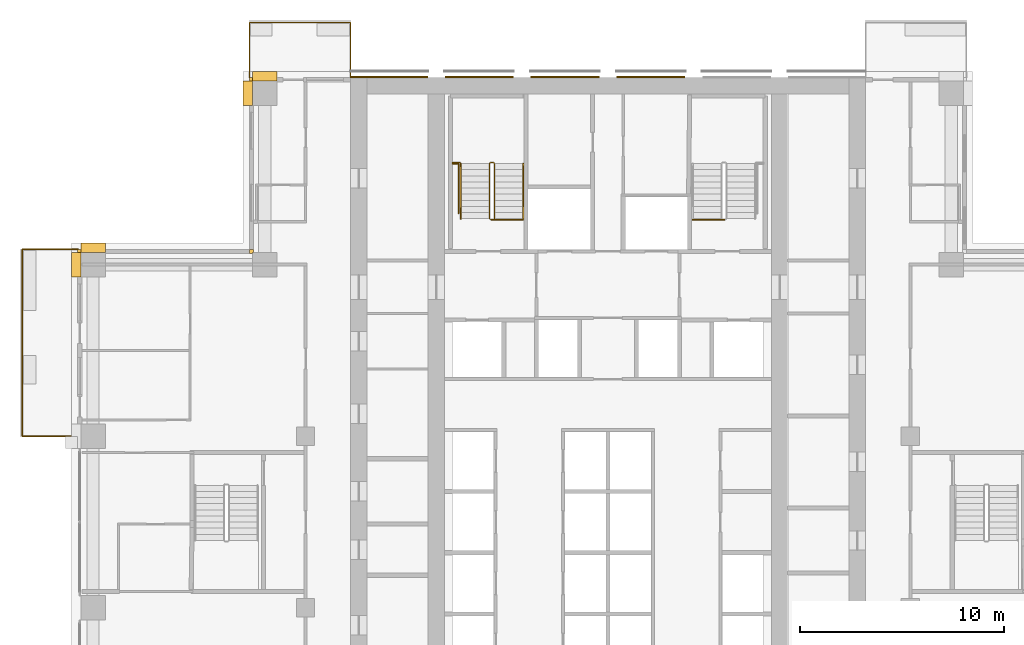
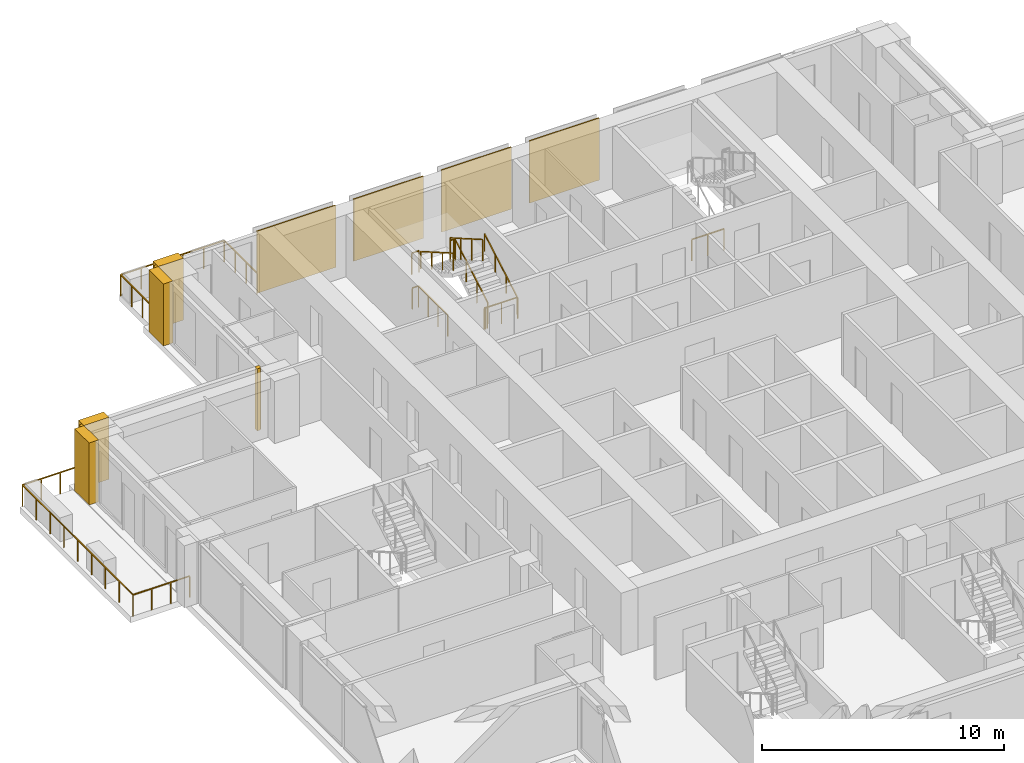
# One storey, part 15 of 16: 11 coverings, 9 railings.
"""IFC4 building model written with IfcOpenShell, lengths in metres."""

from ifc_helpers import new_model, si_unit, direction, frame, origin, origin_2d, place, context, subcontext, project, spatial, polyline, rectangle, outline, extrude, material, type_object, element, save


model = new_model("IFC4")

# Units and contexts
model_context = context("Model", 3, precision=1e-05, world=origin(), true_north=direction((0.0, 1.0)))
body_context = subcontext(model_context, "Body", "Model", "MODEL_VIEW")
ifc_project = project(units=[si_unit("LENGTHUNIT", "METRE"), si_unit("AREAUNIT", "SQUARE_METRE"), si_unit("VOLUMEUNIT", "CUBIC_METRE"), si_unit("PLANEANGLEUNIT", "RADIAN"), si_unit("MASSUNIT", "GRAM", prefix="KILO")], contexts=[model_context])

# Site, building, storey
site_placement = place(None, origin())
site = spatial("IfcSite", under=ifc_project, at=site_placement, CompositionType="ELEMENT")
building_placement = place(site_placement, origin())
building = spatial("IfcBuilding", under=site, at=building_placement, Name="Vermilion Ogive Tower", CompositionType="ELEMENT")
storey_placement = place(building_placement, frame((0.0, 0.0, 114.89990234375)))
storey = spatial("IfcBuildingStorey", under=building, at=storey_placement, Name="L29", CompositionType="ELEMENT", Elevation=114.89990234375)

# Railings
ifc_material_1 = material(Name="Stainless steel and glass", Category="steel")
railing_type_1 = type_object("IfcRailingType", Name="Balcony guard", PredefinedType="GUARDRAIL", material=ifc_material_1)
railing_1_placement = place(storey_placement, frame((-12.60009765625, 21.75, -0.039794921875)))
element("IfcRailing", 1, at=railing_1_placement, inside=storey, type_object=railing_type_1, Name="Guard N201", PredefinedType="GUARDRAIL", context=body_context, shape_type="SweptSolid", body=[
    extrude(rectangle(XDim=0.048095703125, YDim=0.048095703125, at=origin_2d()), frame((0.0, 0.0, 1.076171875), z_axis=(0.0, 1.0, 0.0), x_axis=(-1.0, 0.0, 0.0)), (0.0, 0.0, 1.0), 2.7041015625),
    extrude(rectangle(XDim=0.048095703125, YDim=0.048095703125, at=origin_2d()), frame((0.0, 2.7041015625, 1.076171875), z_axis=(-1.0, 0.0, 0.0), x_axis=(0.0, -1.0, 0.0)), (0.0, 0.0, 1.0), 4.949951171875),
    extrude(rectangle(XDim=0.048095703125, YDim=0.048095703125, at=origin_2d()), frame((-4.949951171875, 2.7041015625, 1.076171875), z_axis=(0.0, -1.0, 0.0), x_axis=(1.0, 0.0, 0.0)), (0.0, 0.0, 1.0), 2.7041015625),
    extrude(rectangle(XDim=0.0419921875, YDim=0.0419921875, at=origin_2d()), origin(), (0.0, 0.0, 1.0), 1.052001953125),
    extrude(rectangle(XDim=0.0419921875, YDim=0.0419921875, at=origin_2d()), frame((0.0, 0.9013671875, 0.0)), (0.0, 0.0, 1.0), 1.052001953125),
    extrude(rectangle(XDim=0.0419921875, YDim=0.0419921875, at=origin_2d()), frame((0.0, 1.802734375, 0.0)), (0.0, 0.0, 1.0), 1.052001953125),
    extrude(rectangle(XDim=0.0419921875, YDim=0.0419921875, at=origin_2d()), frame((0.0, 2.7041015625, 0.0)), (0.0, 0.0, 1.0), 1.052001953125),
    extrude(rectangle(XDim=0.0419921875, YDim=0.0419921875, at=origin_2d()), frame((-0.989990234375, 2.7041015625, 0.0)), (0.0, 0.0, 1.0), 1.052001953125),
    extrude(rectangle(XDim=0.0419921875, YDim=0.0419921875, at=origin_2d()), frame((-1.97998046875, 2.7041015625, 0.0)), (0.0, 0.0, 1.0), 1.052001953125),
    extrude(rectangle(XDim=0.0419921875, YDim=0.0419921875, at=origin_2d()), frame((-2.969970703125, 2.7041015625, 0.0)), (0.0, 0.0, 1.0), 1.052001953125),
    extrude(rectangle(XDim=0.0419921875, YDim=0.0419921875, at=origin_2d()), frame((-3.9599609375, 2.7041015625, 0.0)), (0.0, 0.0, 1.0), 1.052001953125),
    extrude(rectangle(XDim=0.0419921875, YDim=0.0419921875, at=origin_2d()), frame((-4.949951171875, 2.7041015625, 0.0)), (0.0, 0.0, 1.0), 1.052001953125),
    extrude(rectangle(XDim=0.0419921875, YDim=0.0419921875, at=origin_2d()), frame((-4.949951171875, 1.802734375, 0.0)), (0.0, 0.0, 1.0), 1.052001953125),
    extrude(rectangle(XDim=0.0419921875, YDim=0.0419921875, at=origin_2d()), frame((-4.949951171875, 0.9013671875, 0.0)), (0.0, 0.0, 1.0), 1.052001953125),
    extrude(rectangle(XDim=0.0419921875, YDim=0.0419921875, at=origin_2d()), frame((-4.949951171875, 0.0, 0.0)), (0.0, 0.0, 1.0), 1.052001953125),
])
railing_2_placement = place(storey_placement, frame((-25.949951171875, 13.35009765625, -0.039794921875)))
element("IfcRailing", 2, at=railing_2_placement, inside=storey, type_object=railing_type_1, Name="Guard W01", PredefinedType="GUARDRAIL", context=body_context, shape_type="SweptSolid", body=[
    extrude(rectangle(XDim=0.048095703125, YDim=0.048095703125, at=origin_2d()), frame((0.0, 0.0, 1.076171875), z_axis=(-1.0, 0.0, 0.0), x_axis=(0.0, -1.0, 0.0)), (0.0, 0.0, 1.0), 2.7041015625),
    extrude(rectangle(XDim=0.048095703125, YDim=0.048095703125, at=origin_2d()), frame((-2.7041015625, 0.0, 1.076171875), z_axis=(0.0, -1.0, 0.0), x_axis=(1.0, 0.0, 0.0)), (0.0, 0.0, 1.0), 9.150146484375),
    extrude(rectangle(XDim=0.048095703125, YDim=0.048095703125, at=origin_2d()), frame((-2.7041015625, -9.150146484375, 1.076171875), z_axis=(1.0, 0.0, 0.0), x_axis=(0.0, 1.0, 0.0)), (0.0, 0.0, 1.0), 2.7041015625),
    extrude(rectangle(XDim=0.0419921875, YDim=0.0419921875, at=origin_2d()), origin(), (0.0, 0.0, 1.0), 1.052001953125),
    extrude(rectangle(XDim=0.0419921875, YDim=0.0419921875, at=origin_2d()), frame((-0.9013671875, 0.0, 0.0)), (0.0, 0.0, 1.0), 1.052001953125),
    extrude(rectangle(XDim=0.0419921875, YDim=0.0419921875, at=origin_2d()), frame((-1.802734375, 0.0, 0.0)), (0.0, 0.0, 1.0), 1.052001953125),
    extrude(rectangle(XDim=0.0419921875, YDim=0.0419921875, at=origin_2d()), frame((-2.7041015625, 0.0, 0.0)), (0.0, 0.0, 1.0), 1.052001953125),
    extrude(rectangle(XDim=0.0419921875, YDim=0.0419921875, at=origin_2d()), frame((-2.7041015625, -1.143798828125, 0.0)), (0.0, 0.0, 1.0), 1.052001953125),
    extrude(rectangle(XDim=0.0419921875, YDim=0.0419921875, at=origin_2d()), frame((-2.7041015625, -2.28759765625, 0.0)), (0.0, 0.0, 1.0), 1.052001953125),
    extrude(rectangle(XDim=0.0419921875, YDim=0.0419921875, at=origin_2d()), frame((-2.7041015625, -3.431396484375, 0.0)), (0.0, 0.0, 1.0), 1.052001953125),
    extrude(rectangle(XDim=0.0419921875, YDim=0.0419921875, at=origin_2d()), frame((-2.7041015625, -4.5751953125, 0.0)), (0.0, 0.0, 1.0), 1.052001953125),
    extrude(rectangle(XDim=0.0419921875, YDim=0.0419921875, at=origin_2d()), frame((-2.7041015625, -5.71875, 0.0)), (0.0, 0.0, 1.0), 1.052001953125),
    extrude(rectangle(XDim=0.0419921875, YDim=0.0419921875, at=origin_2d()), frame((-2.7041015625, -6.862548828125, 0.0)), (0.0, 0.0, 1.0), 1.052001953125),
    extrude(rectangle(XDim=0.0419921875, YDim=0.0419921875, at=origin_2d()), frame((-2.7041015625, -8.00634765625, 0.0)), (0.0, 0.0, 1.0), 1.052001953125),
    extrude(rectangle(XDim=0.0419921875, YDim=0.0419921875, at=origin_2d()), frame((-2.7041015625, -9.150146484375, 0.0)), (0.0, 0.0, 1.0), 1.052001953125),
    extrude(rectangle(XDim=0.0419921875, YDim=0.0419921875, at=origin_2d()), frame((-1.802734375, -9.150146484375, 0.0)), (0.0, 0.0, 1.0), 1.052001953125),
    extrude(rectangle(XDim=0.0419921875, YDim=0.0419921875, at=origin_2d()), frame((-0.9013671875, -9.150146484375, 0.0)), (0.0, 0.0, 1.0), 1.052001953125),
    extrude(rectangle(XDim=0.0419921875, YDim=0.0419921875, at=origin_2d()), frame((0.0, -9.150146484375, 0.0)), (0.0, 0.0, 1.0), 1.052001953125),
])
ifc_material_2 = material(Name="Steel S355 painted", Category="steel")
railing_type_2 = type_object("IfcRailingType", Name="Stair guard 1100", PredefinedType="GUARDRAIL", material=ifc_material_2)
railing_3_placement = place(storey_placement, frame((-5.75, 14.800048828125, 0.0)))
element("IfcRailing", 3, at=railing_3_placement, inside=storey, type_object=railing_type_2, Name="L29 ST1 stair guard 4", PredefinedType="GUARDRAIL", context=body_context, shape_type="SweptSolid", body=[
    extrude(rectangle(XDim=0.048095703125, YDim=0.048095703125, at=origin_2d()), frame((0.0, 0.0, 1.076171875), z_axis=(1.0, 0.0, 0.0), x_axis=(0.0, 1.0, 0.0)), (0.0, 0.0, 1.0), 0.14990234375),
    extrude(rectangle(XDim=0.048095703125, YDim=0.048095703125, at=origin_2d()), frame((0.14990234375, 0.0, 1.076171875), z_axis=(0.268277960024, 0.268277960024, 0.925231793839), x_axis=(-0.707106781187, 0.707106781187, 0.0)), (0.0, 0.0, 1.0), 0.1865234375),
    extrude(rectangle(XDim=0.048095703125, YDim=0.048095703125, at=origin_2d()), frame((0.199951171875, 0.050048828125, 1.24853515625), z_axis=(0.0, 0.866903762492, 0.498475542607), x_axis=(-1.0, 0.0, 0.0)), (0.0, 0.0, 1.0), 3.114501953125),
    extrude(rectangle(XDim=0.048095703125, YDim=0.048095703125, at=origin_2d()), frame((0.199951171875, 2.75, 2.80126953125), z_axis=(-0.707106781187, 0.707106781187, 0.0), x_axis=(-0.707106781187, -0.707106781187, 0.0)), (0.0, 0.0, 1.0), 0.07080078125),
    extrude(rectangle(XDim=0.048095703125, YDim=0.048095703125, at=origin_2d()), frame((0.14990234375, 2.800048828125, 2.80126953125), z_axis=(-1.0, 0.0, 0.0), x_axis=(0.0, -1.0, 0.0)), (0.0, 0.0, 1.0), 0.14990234375),
    extrude(rectangle(XDim=0.048095703125, YDim=0.048095703125, at=origin_2d()), frame((0.0, 2.800048828125, 2.80126953125), z_axis=(-0.268277960024, -0.268277960024, 0.925231793839), x_axis=(0.707106781187, -0.707106781187, 0.0)), (0.0, 0.0, 1.0), 0.1865234375),
    extrude(rectangle(XDim=0.048095703125, YDim=0.048095703125, at=origin_2d()), frame((-0.050048828125, 2.75, 2.9736328125), z_axis=(0.0, -0.866903762492, 0.498475542607), x_axis=(1.0, 0.0, 0.0)), (0.0, 0.0, 1.0), 3.114501953125),
    extrude(rectangle(XDim=0.0419921875, YDim=0.0419921875, at=origin_2d()), origin(), (0.0, 0.0, 1.0), 1.052001953125),
    extrude(rectangle(XDim=0.0419921875, YDim=0.0419921875, at=origin_2d()), frame((0.14990234375, 0.0, 0.0)), (0.0, 0.0, 1.0), 1.052001953125),
    extrude(rectangle(XDim=0.0419921875, YDim=0.0419921875, at=origin_2d()), frame((0.199951171875, 0.050048828125, 0.172607421875)), (0.0, 0.0, 1.0), 1.052001953125),
    extrude(rectangle(XDim=0.0419921875, YDim=0.0419921875, at=origin_2d()), frame((0.199951171875, 0.949951171875, 0.690185546875)), (0.0, 0.0, 1.0), 1.052001953125),
    extrude(rectangle(XDim=0.0419921875, YDim=0.0419921875, at=origin_2d()), frame((0.199951171875, 1.85009765625, 1.20751953125)), (0.0, 0.0, 1.0), 1.052001953125),
    extrude(rectangle(XDim=0.0419921875, YDim=0.0419921875, at=origin_2d()), frame((0.199951171875, 2.75, 1.72509765625)), (0.0, 0.0, 1.0), 1.052001953125),
    extrude(rectangle(XDim=0.0419921875, YDim=0.0419921875, at=origin_2d()), frame((0.14990234375, 2.800048828125, 1.72509765625)), (0.0, 0.0, 1.0), 1.052001953125),
    extrude(rectangle(XDim=0.0419921875, YDim=0.0419921875, at=origin_2d()), frame((0.0, 2.800048828125, 1.72509765625)), (0.0, 0.0, 1.0), 1.052001953125),
    extrude(rectangle(XDim=0.0419921875, YDim=0.0419921875, at=origin_2d()), frame((-0.050048828125, 2.75, 1.897705078125)), (0.0, 0.0, 1.0), 1.052001953125),
    extrude(rectangle(XDim=0.0419921875, YDim=0.0419921875, at=origin_2d()), frame((-0.050048828125, 1.85009765625, 2.415283203125)), (0.0, 0.0, 1.0), 1.052001953125),
    extrude(rectangle(XDim=0.0419921875, YDim=0.0419921875, at=origin_2d()), frame((-0.050048828125, 0.949951171875, 2.9326171875)), (0.0, 0.0, 1.0), 1.052001953125),
    extrude(rectangle(XDim=0.0419921875, YDim=0.0419921875, at=origin_2d()), frame((-0.050048828125, 0.050048828125, 3.4501953125)), (0.0, 0.0, 1.0), 1.052001953125),
])
railing_4_placement = place(storey_placement, frame((-7.60009765625, 17.60009765625, 1.72509765625)))
element("IfcRailing", 4, at=railing_4_placement, inside=storey, type_object=railing_type_2, Name="L29 landing guard", PredefinedType="GUARDRAIL", context=body_context, shape_type="SweptSolid", body=[
    extrude(rectangle(XDim=0.048095703125, YDim=0.048095703125, at=origin_2d()), frame((0.0, 0.0, 1.076171875), z_axis=(1.0, 0.0, 0.0), x_axis=(0.0, 1.0, 0.0)), (0.0, 0.0, 1.0), 0.35009765625),
    extrude(rectangle(XDim=0.0419921875, YDim=0.0419921875, at=origin_2d()), origin(), (0.0, 0.0, 1.0), 1.052001953125),
    extrude(rectangle(XDim=0.0419921875, YDim=0.0419921875, at=origin_2d()), frame((0.35009765625, 0.0, 0.0)), (0.0, 0.0, 1.0), 1.052001953125),
])
railing_5_placement = place(storey_placement, frame((-4.159912109375, 14.7900390625, 0.0)))
element("IfcRailing", 5, at=railing_5_placement, inside=storey, type_object=railing_type_2, Name="L29 stair opening guard", PredefinedType="GUARDRAIL", context=body_context, shape_type="SweptSolid", body=[
    extrude(rectangle(XDim=0.048095703125, YDim=0.048095703125, at=origin_2d()), frame((0.0, 0.0, 1.076171875), z_axis=(-1.0, 0.0, 0.0), x_axis=(0.0, -1.0, 0.0)), (0.0, 0.0, 1.0), 1.5400390625),
    extrude(rectangle(XDim=0.0419921875, YDim=0.0419921875, at=origin_2d()), origin(), (0.0, 0.0, 1.0), 1.052001953125),
    extrude(rectangle(XDim=0.0419921875, YDim=0.0419921875, at=origin_2d()), frame((-0.77001953125, 0.0, 0.0)), (0.0, 0.0, 1.0), 1.052001953125),
    extrude(rectangle(XDim=0.0419921875, YDim=0.0419921875, at=origin_2d()), frame((-1.5400390625, 0.0, 0.0)), (0.0, 0.0, 1.0), 1.052001953125),
])
railing_6_placement = place(storey_placement, frame((-7.3095703125, 15.11865234375, 0.0)))
element("IfcRailing", 6, at=railing_6_placement, inside=storey, type_object=railing_type_2, Name="L29 stair opening guard", PredefinedType="GUARDRAIL", context=body_context, shape_type="SweptSolid", body=[
    extrude(rectangle(XDim=0.048095703125, YDim=0.048095703125, at=origin_2d()), frame((0.0, 0.0, 1.076171875), z_axis=(0.0, 1.0, 0.0), x_axis=(-1.0, 0.0, 0.0)), (0.0, 0.0, 1.0), 2.42431640625),
    extrude(rectangle(XDim=0.048095703125, YDim=0.048095703125, at=origin_2d()), frame((0.0, 2.42431640625, 1.076171875), z_axis=(-1.0, 0.0, 0.0), x_axis=(0.0, -1.0, 0.0)), (0.0, 0.0, 1.0), 0.2900390625),
    extrude(rectangle(XDim=0.0419921875, YDim=0.0419921875, at=origin_2d()), origin(), (0.0, 0.0, 1.0), 1.052001953125),
    extrude(rectangle(XDim=0.0419921875, YDim=0.0419921875, at=origin_2d()), frame((0.0, 0.80810546875, 0.0)), (0.0, 0.0, 1.0), 1.052001953125),
    extrude(rectangle(XDim=0.0419921875, YDim=0.0419921875, at=origin_2d()), frame((0.0, 1.6162109375, 0.0)), (0.0, 0.0, 1.0), 1.052001953125),
    extrude(rectangle(XDim=0.0419921875, YDim=0.0419921875, at=origin_2d()), frame((0.0, 2.42431640625, 0.0)), (0.0, 0.0, 1.0), 1.052001953125),
    extrude(rectangle(XDim=0.0419921875, YDim=0.0419921875, at=origin_2d()), frame((-0.2900390625, 2.42431640625, 0.0)), (0.0, 0.0, 1.0), 1.052001953125),
])
railing_7_placement = place(storey_placement, frame((5.699951171875, 14.7900390625, 0.0)))
element("IfcRailing", 7, at=railing_7_placement, inside=storey, type_object=railing_type_2, Name="L29 stair opening guard", PredefinedType="GUARDRAIL", context=body_context, shape_type="SweptSolid", body=[
    extrude(rectangle(XDim=0.048095703125, YDim=0.048095703125, at=origin_2d()), frame((0.0, 0.0, 1.076171875), z_axis=(-1.0, 0.0, 0.0), x_axis=(0.0, -1.0, 0.0)), (0.0, 0.0, 1.0), 1.5400390625),
    extrude(rectangle(XDim=0.0419921875, YDim=0.0419921875, at=origin_2d()), origin(), (0.0, 0.0, 1.0), 1.052001953125),
    extrude(rectangle(XDim=0.0419921875, YDim=0.0419921875, at=origin_2d()), frame((-0.77001953125, 0.0, 0.0)), (0.0, 0.0, 1.0), 1.052001953125),
    extrude(rectangle(XDim=0.0419921875, YDim=0.0419921875, at=origin_2d()), frame((-1.5400390625, 0.0, 0.0)), (0.0, 0.0, 1.0), 1.052001953125),
])
ifc_material_3 = material(Name="Stainless steel", Category="steel")
railing_type_3 = type_object("IfcRailingType", Name="Stair handrail 900", PredefinedType="HANDRAIL", material=ifc_material_3)
railing_8_placement = place(storey_placement, frame((-4.14990234375, 14.85009765625, 0.172607421875)))
element("IfcRailing", 8, at=railing_8_placement, inside=storey, type_object=railing_type_3, Name="L29 ST1 stair handrail 1", PredefinedType="HANDRAIL", context=body_context, shape_type="SweptSolid", body=[
    extrude(rectangle(XDim=0.048095703125, YDim=0.048095703125, at=origin_2d()), frame((0.0, 0.0, 0.8759765625), z_axis=(0.0, 0.866903762492, 0.498475542607), x_axis=(-1.0, 0.0, 0.0)), (0.0, 0.0, 1.0), 3.114501953125),
    extrude(rectangle(XDim=0.0419921875, YDim=0.0419921875, at=origin_2d()), origin(), (0.0, 0.0, 1.0), 0.851806640625),
    extrude(rectangle(XDim=0.0419921875, YDim=0.0419921875, at=origin_2d()), frame((0.0, 0.89990234375, 0.517578125)), (0.0, 0.0, 1.0), 0.851806640625),
    extrude(rectangle(XDim=0.0419921875, YDim=0.0419921875, at=origin_2d()), frame((0.0, 1.800048828125, 1.034912109375)), (0.0, 0.0, 1.0), 0.851806640625),
    extrude(rectangle(XDim=0.0419921875, YDim=0.0419921875, at=origin_2d()), frame((0.0, 2.699951171875, 1.552490234375)), (0.0, 0.0, 1.0), 0.851806640625),
])
railing_9_placement = place(storey_placement, frame((-7.199951171875, 17.550048828125, 1.897705078125)))
element("IfcRailing", 9, at=railing_9_placement, inside=storey, type_object=railing_type_3, Name="L29 ST1 stair handrail 2", PredefinedType="HANDRAIL", context=body_context, shape_type="SweptSolid", body=[
    extrude(rectangle(XDim=0.048095703125, YDim=0.048095703125, at=origin_2d()), frame((0.0, 0.0, 0.8759765625), z_axis=(0.0, -0.866903762492, 0.498475542607), x_axis=(1.0, 0.0, 0.0)), (0.0, 0.0, 1.0), 3.114501953125),
    extrude(rectangle(XDim=0.0419921875, YDim=0.0419921875, at=origin_2d()), origin(), (0.0, 0.0, 1.0), 0.851806640625),
    extrude(rectangle(XDim=0.0419921875, YDim=0.0419921875, at=origin_2d()), frame((0.0, -0.89990234375, 0.517578125)), (0.0, 0.0, 1.0), 0.851806640625),
    extrude(rectangle(XDim=0.0419921875, YDim=0.0419921875, at=origin_2d()), frame((0.0, -1.800048828125, 1.034912109375)), (0.0, 0.0, 1.0), 0.851806640625),
    extrude(rectangle(XDim=0.0419921875, YDim=0.0419921875, at=origin_2d()), frame((0.0, -2.699951171875, 1.552490234375)), (0.0, 0.0, 1.0), 0.851806640625),
])

# Coverings
ifc_material_4 = material(Name="Stone cladding", Category="masonry")
covering_type_1 = type_object("IfcCoveringType", Name="Stone cladding panel", PredefinedType="CLADDING", material=ifc_material_4)
covering_1_placement = place(storey_placement, origin())
element("IfcCovering", 10, at=covering_1_placement, inside=storey, type_object=covering_type_1, Name="Stone cladding panel N1", PredefinedType="CLADDING", context=body_context, shape_type="SweptSolid", body=[
    extrude(outline(polyline([(-12.590087890625, 21.75), (-8.830078125, 21.75), (-8.830078125, 21.81005859375), (-12.590087890625, 21.81005859375), (-12.590087890625, 21.75)])), origin(), (0.0, 0.0, 1.0), 3.130126953125),
])
covering_2_placement = place(storey_placement, origin())
element("IfcCovering", 11, at=covering_2_placement, inside=storey, type_object=covering_type_1, Name="Stone cladding panel N2", PredefinedType="CLADDING", context=body_context, shape_type="SweptSolid", body=[
    extrude(outline(polyline([(-7.969970703125, 21.75), (-4.6298828125, 21.75), (-4.6298828125, 21.81005859375), (-7.969970703125, 21.81005859375), (-7.969970703125, 21.75)])), origin(), (0.0, 0.0, 1.0), 3.130126953125),
])
covering_3_placement = place(storey_placement, origin())
element("IfcCovering", 12, at=covering_3_placement, inside=storey, type_object=covering_type_1, Name="Stone cladding panel N3", PredefinedType="CLADDING", context=body_context, shape_type="SweptSolid", body=[
    extrude(outline(polyline([(-3.77001953125, 21.75), (-0.429931640625, 21.75), (-0.429931640625, 21.81005859375), (-3.77001953125, 21.81005859375), (-3.77001953125, 21.75)])), origin(), (0.0, 0.0, 1.0), 3.130126953125),
])
covering_4_placement = place(storey_placement, origin())
element("IfcCovering", 13, at=covering_4_placement, inside=storey, type_object=covering_type_1, Name="Stone cladding panel N4", PredefinedType="CLADDING", context=body_context, shape_type="SweptSolid", body=[
    extrude(outline(polyline([(0.429931640625, 21.75), (3.77001953125, 21.75), (3.77001953125, 21.81005859375), (0.429931640625, 21.81005859375), (0.429931640625, 21.75)])), origin(), (0.0, 0.0, 1.0), 3.130126953125),
])
ifc_material_5 = material(Name="Stone cladding", Category="masonry")
covering_type_2 = type_object("IfcCoveringType", Name="Stone pier", PredefinedType="CLADDING", material=ifc_material_5)
covering_5_placement = place(storey_placement, origin())
element("IfcCovering", 14, at=covering_5_placement, inside=storey, type_object=covering_type_2, Name="Stone corner pier N2E1", PredefinedType="CLADDING", context=body_context, shape_type="SweptSolid", body=[
    extrude(outline(polyline([(-17.39990234375, 21.75), (-17.39990234375, 21.60009765625), (-17.39990234375, 21.60009765625), (-17.550048828125, 21.60009765625), (-17.550048828125, 21.75), (-17.39990234375, 21.75)])), origin(), (0.0, 0.0, 1.0), 3.130126953125),
])
covering_6_placement = place(storey_placement, origin())
element("IfcCovering", 15, at=covering_6_placement, inside=storey, type_object=covering_type_2, Name="Stone corner pier X5E1", PredefinedType="CLADDING", context=body_context, shape_type="SweptSolid", body=[
    extrude(outline(polyline([(-17.35009765625, 13.199951171875), (-17.39990234375, 13.199951171875), (-17.39990234375, 13.14990234375), (-17.550048828125, 13.14990234375), (-17.550048828125, 13.35009765625), (-17.35009765625, 13.35009765625), (-17.35009765625, 13.199951171875)])), origin(), (0.0, 0.0, 1.0), 3.130126953125),
])
covering_7_placement = place(storey_placement, origin())
element("IfcCovering", 16, at=covering_7_placement, inside=storey, type_object=covering_type_2, Name="Stone corner pier X6E1", PredefinedType="CLADDING", context=body_context, shape_type="SweptSolid", body=[
    extrude(outline(polyline([(-25.800048828125, 13.35009765625), (-25.800048828125, 13.199951171875), (-25.949951171875, 13.199951171875), (-25.949951171875, 13.35009765625), (-25.800048828125, 13.35009765625)])), origin(), (0.0, 0.0, 1.0), 3.130126953125),
])
covering_8_placement = place(storey_placement, origin())
element("IfcCovering", 17, at=covering_8_placement, inside=storey, type_object=covering_type_2, Name="Stone pier P-0168+210N2", PredefinedType="CLADDING", context=body_context, shape_type="SweptSolid", body=[
    extrude(outline(polyline([(-17.39990234375, 22.050048828125), (-16.199951171875, 22.050048828125), (-16.199951171875, 21.60009765625), (-17.39990234375, 21.60009765625), (-17.39990234375, 22.050048828125)])), origin(), (0.0, 0.0, 1.0), 3.130126953125),
])
covering_9_placement = place(storey_placement, origin())
element("IfcCovering", 18, at=covering_9_placement, inside=storey, type_object=covering_type_2, Name="Stone pier P-0168+210X5", PredefinedType="CLADDING", context=body_context, shape_type="SweptSolid", body=[
    extrude(outline(polyline([(-17.85009765625, 21.60009765625), (-17.39990234375, 21.60009765625), (-17.39990234375, 20.39990234375), (-17.85009765625, 20.39990234375), (-17.85009765625, 21.60009765625)])), origin(), (0.0, 0.0, 1.0), 3.130126953125),
])
covering_10_placement = place(storey_placement, origin())
element("IfcCovering", 19, at=covering_10_placement, inside=storey, type_object=covering_type_2, Name="Stone pier P-0252+126X6", PredefinedType="CLADDING", context=body_context, shape_type="SweptSolid", body=[
    extrude(outline(polyline([(-25.800048828125, 13.199951171875), (-25.800048828125, 13.64990234375), (-24.60009765625, 13.64990234375), (-24.60009765625, 13.199951171875), (-24.60009765625, 13.199951171875), (-25.800048828125, 13.199951171875)])), origin(), (0.0, 0.0, 1.0), 3.130126953125),
])
covering_11_placement = place(storey_placement, origin())
element("IfcCovering", 20, at=covering_11_placement, inside=storey, type_object=covering_type_2, Name="Stone pier P-0252+126W", PredefinedType="CLADDING", context=body_context, shape_type="SweptSolid", body=[
    extrude(outline(polyline([(-26.25, 13.199951171875), (-25.800048828125, 13.199951171875), (-25.800048828125, 12.0), (-26.25, 12.0), (-26.25, 13.199951171875)])), origin(), (0.0, 0.0, 1.0), 3.130126953125),
])

save(model, "model.ifc")
